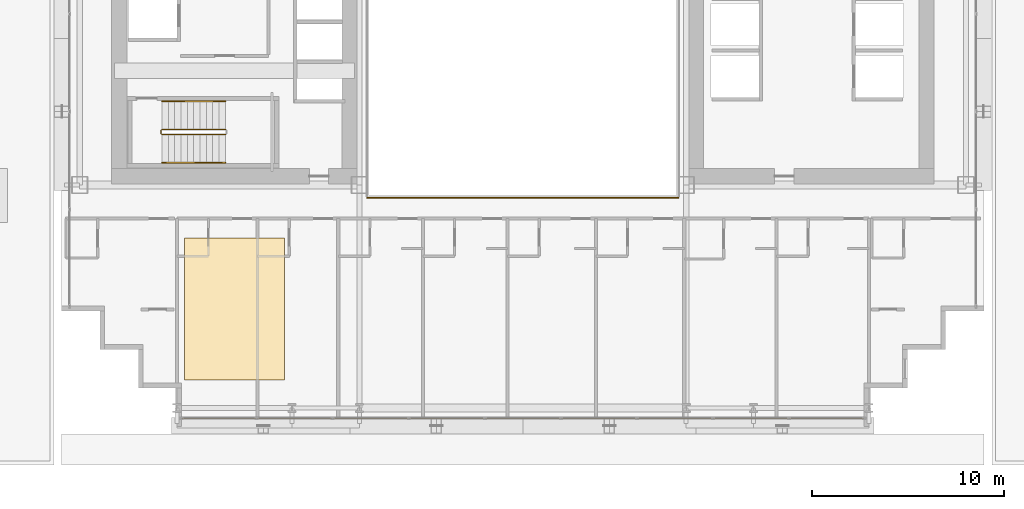
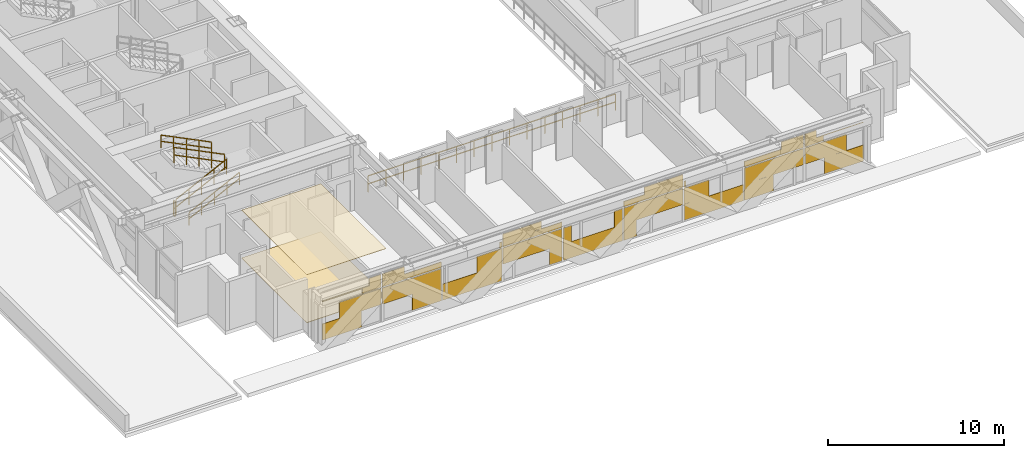
# One storey, part 31 of 35: 6 railings, 3 coverings.
"""IFC4 building model written with IfcOpenShell, lengths in metres."""

from ifc_helpers import new_model, si_unit, direction, frame, origin, origin_2d, place, context, subcontext, project, spatial, polyline, rectangle, outline, extrude, material, layer, layer_set, type_object, element, save


model = new_model("IFC4")

# Units and contexts
model_context = context("Model", 3, precision=1e-05, world=origin(), true_north=direction((0.0, 1.0)))
body_context = subcontext(model_context, "Body", "Model", "MODEL_VIEW")
ifc_project = project(units=[si_unit("LENGTHUNIT", "METRE"), si_unit("AREAUNIT", "SQUARE_METRE"), si_unit("VOLUMEUNIT", "CUBIC_METRE"), si_unit("PLANEANGLEUNIT", "RADIAN"), si_unit("MASSUNIT", "GRAM", prefix="KILO")], contexts=[model_context])

# Site, building, storey
site_placement = place(None, origin())
site = spatial("IfcSite", under=ifc_project, at=site_placement, CompositionType="ELEMENT")
building_placement = place(site_placement, origin())
building = spatial("IfcBuilding", under=site, at=building_placement, Name="Ocotamira Hotel", CompositionType="ELEMENT")
storey_placement = place(building_placement, frame((0.0, 0.0, 34.800048828125)))
storey = spatial("IfcBuildingStorey", under=building, at=storey_placement, Name="L07", CompositionType="ELEMENT", Elevation=34.800048828125)

# Coverings
ifc_material_1 = material(Name="Perforated acoustic gypsum ceiling board", Category="gypsum")
ifc_layer_1 = layer(ifc_material_1, 0.02490234375)
ifc_layer_set_1 = layer_set([ifc_layer_1], Name="Perforated acoustic gypsum ceiling board")
covering_type_1 = type_object("IfcCoveringType", Name="COV-CEIL-25", PredefinedType="CEILING", material=ifc_layer_set_1)
covering_1_placement = place(storey_placement, frame((0.0, 0.0, 3.324951171875)))
element("IfcCovering", 1, at=covering_1_placement, inside=storey, type_object=covering_type_1, Name="L07 Acoustic Ceiling", PredefinedType="CEILING", context=body_context, shape_type="SweptSolid", body=[
    extrude(outline(polyline([(14.39990234375, 4.39990234375), (19.60009765625, 4.39990234375), (19.60009765625, 11.800048828125), (14.39990234375, 11.800048828125), (14.39990234375, 4.39990234375)])), origin(), (0.0, 0.0, 1.0), 0.02490234375),
])
ifc_material_2 = material(Name="Honed desert travertine stone flooring", Category="masonry")
ifc_layer_2 = layer(ifc_material_2, 0.030029296875)
ifc_layer_set_2 = layer_set([ifc_layer_2], Name="Honed desert travertine stone flooring")
covering_type_2 = type_object("IfcCoveringType", Name="COV-FLOR-30", PredefinedType="FLOORING", material=ifc_layer_set_2)
covering_2_placement = place(storey_placement, origin())
element("IfcCovering", 2, at=covering_2_placement, inside=storey, type_object=covering_type_2, Name="L07 Honed Stone Floor Finish", PredefinedType="FLOORING", context=body_context, shape_type="SweptSolid", body=[
    extrude(outline(polyline([(14.39990234375, 4.39990234375), (19.60009765625, 4.39990234375), (19.60009765625, 11.800048828125), (14.39990234375, 11.800048828125), (14.39990234375, 4.39990234375)])), origin(), (0.0, 0.0, 1.0), 0.030029296875),
])
ifc_material_3 = material(Name="Insulated pale-metal aluminium spandrel panel", Category="aluminium")
ifc_layer_3 = layer(ifc_material_3, 0.044921875)
ifc_layer_set_3 = layer_set([ifc_layer_3], Name="Insulated pale-metal aluminium spandrel panel")
covering_type_3 = type_object("IfcCoveringType", Name="COV-INFILL-45", PredefinedType="CLADDING", material=ifc_layer_set_3)
covering_3_placement = place(storey_placement, origin())
element("IfcCovering", 3, at=covering_3_placement, inside=storey, type_object=covering_type_3, Name="L07 Curtain Wall Infill CW-2 CW-L07-S1", PredefinedType="CLADDING", context=body_context, shape_type="SweptSolid", body=[
    extrude(rectangle(XDim=2.556396484375, YDim=0.044921875, at=origin_2d()), frame((15.558837890625, 2.419921875, 0.075439453125), z_axis=(0.0, 0.0, 1.0), x_axis=(1.0, 0.0, 0.0)), (0.0, 0.0, 1.0), 1.11767578125),
    extrude(rectangle(XDim=2.7177734375, YDim=0.044921875, at=origin_2d()), frame((16.756103515625, 2.419921875, 1.194091796875), z_axis=(0.0, 0.0, 1.0), x_axis=(1.0, 0.0, 0.0)), (0.0, 0.0, 1.0), 1.11767578125),
    extrude(rectangle(XDim=3.834716796875, YDim=0.044921875, at=origin_2d()), frame((16.19775390625, 2.419921875, 2.7333984375), z_axis=(0.0, 0.0, 1.0), x_axis=(1.0, 0.0, 0.0)), (0.0, 0.0, 1.0), 0.0302734375),
    extrude(rectangle(XDim=1.2255859375, YDim=0.044921875, at=origin_2d()), frame((17.502197265625, 2.419921875, 2.3876953125), z_axis=(0.0, 0.0, 1.0), x_axis=(1.0, 0.0, 0.0)), (0.0, 0.0, 1.0), 0.344482421875),
    extrude(rectangle(XDim=0.754638671875, YDim=0.044921875, at=origin_2d()), frame((17.73779296875, 2.419921875, 2.7646484375), z_axis=(0.0, 0.0, 1.0), x_axis=(1.0, 0.0, 0.0)), (0.0, 0.0, 1.0), 0.509765625),
    extrude(rectangle(XDim=3.87451171875, YDim=0.044921875, at=origin_2d()), frame((20.13330078125, 2.419921875, 1.194091796875), z_axis=(0.0, 0.0, 1.0), x_axis=(1.0, 0.0, 0.0)), (0.0, 0.0, 1.0), 1.11767578125),
    extrude(rectangle(XDim=1.90771484375, YDim=0.044921875, at=origin_2d()), frame((21.11669921875, 2.419921875, 0.075439453125), z_axis=(0.0, 0.0, 1.0), x_axis=(1.0, 0.0, 0.0)), (0.0, 0.0, 1.0), 1.11767578125),
    extrude(rectangle(XDim=3.87451171875, YDim=0.044921875, at=origin_2d()), frame((20.13330078125, 2.419921875, 2.38818359375), z_axis=(0.0, 0.0, 1.0), x_axis=(1.0, 0.0, 0.0)), (0.0, 0.0, 1.0), 0.375732421875),
    extrude(rectangle(XDim=1.443603515625, YDim=0.044921875, at=origin_2d()), frame((18.917724609375, 2.419921875, 2.7646484375), z_axis=(0.0, 0.0, 1.0), x_axis=(1.0, 0.0, 0.0)), (0.0, 0.0, 1.0), 0.509765625),
    extrude(rectangle(XDim=3.87451171875, YDim=0.044921875, at=origin_2d()), frame((24.0888671875, 2.419921875, 0.075439453125), z_axis=(0.0, 0.0, 1.0), x_axis=(1.0, 0.0, 0.0)), (0.0, 0.0, 1.0), 1.11767578125),
    extrude(rectangle(XDim=1.62890625, YDim=0.044921875, at=origin_2d()), frame((25.2119140625, 2.419921875, 1.194091796875), z_axis=(0.0, 0.0, 1.0), x_axis=(1.0, 0.0, 0.0)), (0.0, 0.0, 1.0), 1.11767578125),
    extrude(rectangle(XDim=0.13671875, YDim=0.044921875, at=origin_2d()), frame((25.957763671875, 2.419921875, 2.38818359375), z_axis=(0.0, 0.0, 1.0), x_axis=(1.0, 0.0, 0.0)), (0.0, 0.0, 1.0), 0.375732421875),
    extrude(rectangle(XDim=3.87451171875, YDim=0.044921875, at=origin_2d()), frame((28.04443359375, 2.419921875, 1.194091796875), z_axis=(0.0, 0.0, 1.0), x_axis=(1.0, 0.0, 0.0)), (0.0, 0.0, 1.0), 1.11767578125),
    extrude(rectangle(XDim=0.81884765625, YDim=0.044921875, at=origin_2d()), frame((29.572265625, 2.419921875, 0.075439453125), z_axis=(0.0, 0.0, 1.0), x_axis=(1.0, 0.0, 0.0)), (0.0, 0.0, 1.0), 1.11767578125),
    extrude(rectangle(XDim=3.87451171875, YDim=0.044921875, at=origin_2d()), frame((28.04443359375, 2.419921875, 2.38818359375), z_axis=(0.0, 0.0, 1.0), x_axis=(1.0, 0.0, 0.0)), (0.0, 0.0, 1.0), 0.375732421875),
    extrude(rectangle(XDim=2.532470703125, YDim=0.044921875, at=origin_2d()), frame((27.373291015625, 2.419921875, 2.7646484375), z_axis=(0.0, 0.0, 1.0), x_axis=(1.0, 0.0, 0.0)), (0.0, 0.0, 1.0), 0.509765625),
    extrude(rectangle(XDim=3.87451171875, YDim=0.044921875, at=origin_2d()), frame((32.0, 2.419921875, 0.075439453125), z_axis=(0.0, 0.0, 1.0), x_axis=(1.0, 0.0, 0.0)), (0.0, 0.0, 1.0), 1.11767578125),
    extrude(rectangle(XDim=0.539794921875, YDim=0.044921875, at=origin_2d()), frame((30.332763671875, 2.419921875, 1.194091796875), z_axis=(0.0, 0.0, 1.0), x_axis=(1.0, 0.0, 0.0)), (0.0, 0.0, 1.0), 1.11767578125),
    extrude(rectangle(XDim=0.539794921875, YDim=0.044921875, at=origin_2d()), frame((33.667236328125, 2.419921875, 1.194091796875), z_axis=(0.0, 0.0, 1.0), x_axis=(1.0, 0.0, 0.0)), (0.0, 0.0, 1.0), 1.11767578125),
    extrude(rectangle(XDim=0.81884765625, YDim=0.044921875, at=origin_2d()), frame((34.427734375, 2.419921875, 0.075439453125), z_axis=(0.0, 0.0, 1.0), x_axis=(1.0, 0.0, 0.0)), (0.0, 0.0, 1.0), 1.11767578125),
    extrude(rectangle(XDim=3.87451171875, YDim=0.044921875, at=origin_2d()), frame((35.95556640625, 2.419921875, 1.194091796875), z_axis=(0.0, 0.0, 1.0), x_axis=(1.0, 0.0, 0.0)), (0.0, 0.0, 1.0), 1.11767578125),
    extrude(rectangle(XDim=3.87451171875, YDim=0.044921875, at=origin_2d()), frame((35.95556640625, 2.419921875, 2.38818359375), z_axis=(0.0, 0.0, 1.0), x_axis=(1.0, 0.0, 0.0)), (0.0, 0.0, 1.0), 0.375732421875),
    extrude(rectangle(XDim=2.532470703125, YDim=0.044921875, at=origin_2d()), frame((36.626708984375, 2.419921875, 2.7646484375), z_axis=(0.0, 0.0, 1.0), x_axis=(1.0, 0.0, 0.0)), (0.0, 0.0, 1.0), 0.509765625),
    extrude(rectangle(XDim=3.87451171875, YDim=0.044921875, at=origin_2d()), frame((39.9111328125, 2.419921875, 0.075439453125), z_axis=(0.0, 0.0, 1.0), x_axis=(1.0, 0.0, 0.0)), (0.0, 0.0, 1.0), 1.11767578125),
    extrude(rectangle(XDim=1.62890625, YDim=0.044921875, at=origin_2d()), frame((38.7880859375, 2.419921875, 1.194091796875), z_axis=(0.0, 0.0, 1.0), x_axis=(1.0, 0.0, 0.0)), (0.0, 0.0, 1.0), 1.11767578125),
    extrude(rectangle(XDim=0.13671875, YDim=0.044921875, at=origin_2d()), frame((38.042236328125, 2.419921875, 2.38818359375), z_axis=(0.0, 0.0, 1.0), x_axis=(1.0, 0.0, 0.0)), (0.0, 0.0, 1.0), 0.375732421875),
    extrude(rectangle(XDim=1.90771484375, YDim=0.044921875, at=origin_2d()), frame((42.88330078125, 2.419921875, 0.075439453125), z_axis=(0.0, 0.0, 1.0), x_axis=(1.0, 0.0, 0.0)), (0.0, 0.0, 1.0), 1.11767578125),
    extrude(rectangle(XDim=3.87451171875, YDim=0.044921875, at=origin_2d()), frame((43.86669921875, 2.419921875, 1.194091796875), z_axis=(0.0, 0.0, 1.0), x_axis=(1.0, 0.0, 0.0)), (0.0, 0.0, 1.0), 1.11767578125),
    extrude(rectangle(XDim=3.87451171875, YDim=0.044921875, at=origin_2d()), frame((43.86669921875, 2.419921875, 2.38818359375), z_axis=(0.0, 0.0, 1.0), x_axis=(1.0, 0.0, 0.0)), (0.0, 0.0, 1.0), 0.375732421875),
    extrude(rectangle(XDim=1.443603515625, YDim=0.044921875, at=origin_2d()), frame((45.082275390625, 2.419921875, 2.7646484375), z_axis=(0.0, 0.0, 1.0), x_axis=(1.0, 0.0, 0.0)), (0.0, 0.0, 1.0), 0.509765625),
    extrude(rectangle(XDim=2.7177734375, YDim=0.044921875, at=origin_2d()), frame((47.243896484375, 2.419921875, 1.194091796875), z_axis=(0.0, 0.0, 1.0), x_axis=(1.0, 0.0, 0.0)), (0.0, 0.0, 1.0), 1.11767578125),
    extrude(rectangle(XDim=2.556396484375, YDim=0.044921875, at=origin_2d()), frame((48.441162109375, 2.419921875, 0.075439453125), z_axis=(0.0, 0.0, 1.0), x_axis=(1.0, 0.0, 0.0)), (0.0, 0.0, 1.0), 1.11767578125),
    extrude(rectangle(XDim=1.2255859375, YDim=0.044921875, at=origin_2d()), frame((46.497802734375, 2.419921875, 2.3876953125), z_axis=(0.0, 0.0, 1.0), x_axis=(1.0, 0.0, 0.0)), (0.0, 0.0, 1.0), 0.344482421875),
    extrude(rectangle(XDim=3.834716796875, YDim=0.044921875, at=origin_2d()), frame((47.80224609375, 2.419921875, 2.7333984375), z_axis=(0.0, 0.0, 1.0), x_axis=(1.0, 0.0, 0.0)), (0.0, 0.0, 1.0), 0.0302734375),
    extrude(rectangle(XDim=0.754638671875, YDim=0.044921875, at=origin_2d()), frame((46.26220703125, 2.419921875, 2.7646484375), z_axis=(0.0, 0.0, 1.0), x_axis=(1.0, 0.0, 0.0)), (0.0, 0.0, 1.0), 0.509765625),
])

# Railings
ifc_material_4 = material(Name="Painted steel stair guardrail", Category="steel")
railing_type_1 = type_object("IfcRailingType", Name="RL-EDGE-1150", PredefinedType="GUARDRAIL", material=ifc_material_4)
railing_1_placement = place(storey_placement, frame((23.89990234375, 13.8798828125, 0.0)))
element("IfcRailing", 4, at=railing_1_placement, inside=storey, type_object=railing_type_1, Name="L07 Central Atrium Edge Guardrail S", PredefinedType="GUARDRAIL", context=body_context, shape_type="SweptSolid", body=[
    extrude(rectangle(XDim=0.048095703125, YDim=0.048095703125, at=origin_2d()), frame((0.0, 0.0, 1.1259765625), z_axis=(1.0, 0.0, 0.0), x_axis=(0.0, 1.0, 0.0)), (0.0, 0.0, 1.0), 16.2001953125),
    extrude(rectangle(XDim=0.048095703125, YDim=0.048095703125, at=origin_2d()), frame((0.0, 0.0, 0.574951171875), z_axis=(1.0, 0.0, 0.0), x_axis=(0.0, 1.0, 0.0)), (0.0, 0.0, 1.0), 16.2001953125),
    extrude(rectangle(XDim=0.0419921875, YDim=0.0419921875, at=origin_2d()), origin(), (0.0, 0.0, 1.0), 1.101806640625),
    extrude(rectangle(XDim=0.0419921875, YDim=0.0419921875, at=origin_2d()), frame((1.1572265625, 0.0, 0.0)), (0.0, 0.0, 1.0), 1.101806640625),
    extrude(rectangle(XDim=0.0419921875, YDim=0.0419921875, at=origin_2d()), frame((2.314208984375, 0.0, 0.0)), (0.0, 0.0, 1.0), 1.101806640625),
    extrude(rectangle(XDim=0.0419921875, YDim=0.0419921875, at=origin_2d()), frame((3.471435546875, 0.0, 0.0)), (0.0, 0.0, 1.0), 1.101806640625),
    extrude(rectangle(XDim=0.0419921875, YDim=0.0419921875, at=origin_2d()), frame((4.628662109375, 0.0, 0.0)), (0.0, 0.0, 1.0), 1.101806640625),
    extrude(rectangle(XDim=0.0419921875, YDim=0.0419921875, at=origin_2d()), frame((5.785888671875, 0.0, 0.0)), (0.0, 0.0, 1.0), 1.101806640625),
    extrude(rectangle(XDim=0.0419921875, YDim=0.0419921875, at=origin_2d()), frame((6.94287109375, 0.0, 0.0)), (0.0, 0.0, 1.0), 1.101806640625),
    extrude(rectangle(XDim=0.0419921875, YDim=0.0419921875, at=origin_2d()), frame((8.10009765625, 0.0, 0.0)), (0.0, 0.0, 1.0), 1.101806640625),
    extrude(rectangle(XDim=0.0419921875, YDim=0.0419921875, at=origin_2d()), frame((9.25732421875, 0.0, 0.0)), (0.0, 0.0, 1.0), 1.101806640625),
    extrude(rectangle(XDim=0.0419921875, YDim=0.0419921875, at=origin_2d()), frame((10.414306640625, 0.0, 0.0)), (0.0, 0.0, 1.0), 1.101806640625),
    extrude(rectangle(XDim=0.0419921875, YDim=0.0419921875, at=origin_2d()), frame((11.571533203125, 0.0, 0.0)), (0.0, 0.0, 1.0), 1.101806640625),
    extrude(rectangle(XDim=0.0419921875, YDim=0.0419921875, at=origin_2d()), frame((12.728759765625, 0.0, 0.0)), (0.0, 0.0, 1.0), 1.101806640625),
    extrude(rectangle(XDim=0.0419921875, YDim=0.0419921875, at=origin_2d()), frame((13.885986328125, 0.0, 0.0)), (0.0, 0.0, 1.0), 1.101806640625),
    extrude(rectangle(XDim=0.0419921875, YDim=0.0419921875, at=origin_2d()), frame((15.04296875, 0.0, 0.0)), (0.0, 0.0, 1.0), 1.101806640625),
    extrude(rectangle(XDim=0.0419921875, YDim=0.0419921875, at=origin_2d()), frame((16.2001953125, 0.0, 0.0)), (0.0, 0.0, 1.0), 1.101806640625),
])
ifc_material_5 = material(Name="Brushed stainless steel handrail", Category="steel")
railing_type_2 = type_object("IfcRailingType", Name="RL-HAND-900", PredefinedType="HANDRAIL", material=ifc_material_5)
railing_2_placement = place(storey_placement, frame((13.22998046875, 15.719970703125, 0.3271484375)))
element("IfcRailing", 5, at=railing_2_placement, inside=storey, type_object=railing_type_2, Name="L07 ST-1 stair handrail 1", PredefinedType="HANDRAIL", context=body_context, shape_type="SweptSolid", body=[
    extrude(rectangle(XDim=0.048095703125, YDim=0.048095703125, at=origin_2d()), frame((0.0, 0.0, 0.8759765625), z_axis=(0.895893744519, 0.0, 0.4442683857), x_axis=(0.0, 1.0, 0.0)), (0.0, 0.0, 1.0), 3.68359375),
    extrude(rectangle(XDim=0.048095703125, YDim=0.048095703125, at=origin_2d()), frame((0.0, 0.0, 0.449951171875), z_axis=(0.895893744519, 0.0, 0.4442683857), x_axis=(0.0, 1.0, 0.0)), (0.0, 0.0, 1.0), 3.68359375),
    extrude(rectangle(XDim=0.0419921875, YDim=0.0419921875, at=origin_2d()), origin(), (0.0, 0.0, 1.0), 0.851806640625),
    extrude(rectangle(XDim=0.0419921875, YDim=0.0419921875, at=origin_2d()), frame((0.824951171875, 0.0, 0.4091796875)), (0.0, 0.0, 1.0), 0.851806640625),
    extrude(rectangle(XDim=0.0419921875, YDim=0.0419921875, at=origin_2d()), frame((1.64990234375, 0.0, 0.818359375)), (0.0, 0.0, 1.0), 0.851806640625),
    extrude(rectangle(XDim=0.0419921875, YDim=0.0419921875, at=origin_2d()), frame((2.47509765625, 0.0, 1.227294921875)), (0.0, 0.0, 1.0), 0.851806640625),
    extrude(rectangle(XDim=0.0419921875, YDim=0.0419921875, at=origin_2d()), frame((3.300048828125, 0.0, 1.636474609375)), (0.0, 0.0, 1.0), 0.851806640625),
])
railing_3_placement = place(storey_placement, frame((16.530029296875, 18.89990234375, 2.127197265625)))
element("IfcRailing", 6, at=railing_3_placement, inside=storey, type_object=railing_type_2, Name="L07 ST-1 stair handrail 2", PredefinedType="HANDRAIL", context=body_context, shape_type="SweptSolid", body=[
    extrude(rectangle(XDim=0.048095703125, YDim=0.048095703125, at=origin_2d()), frame((0.0, 0.0, 0.8759765625), z_axis=(-0.895893744519, 0.0, 0.4442683857), x_axis=(0.0, -1.0, 0.0)), (0.0, 0.0, 1.0), 3.68359375),
    extrude(rectangle(XDim=0.048095703125, YDim=0.048095703125, at=origin_2d()), frame((0.0, 0.0, 0.449951171875), z_axis=(-0.895893744519, 0.0, 0.4442683857), x_axis=(0.0, -1.0, 0.0)), (0.0, 0.0, 1.0), 3.68359375),
    extrude(rectangle(XDim=0.0419921875, YDim=0.0419921875, at=origin_2d()), origin(), (0.0, 0.0, 1.0), 0.851806640625),
    extrude(rectangle(XDim=0.0419921875, YDim=0.0419921875, at=origin_2d()), frame((-0.824951171875, 0.0, 0.4091796875)), (0.0, 0.0, 1.0), 0.851806640625),
    extrude(rectangle(XDim=0.0419921875, YDim=0.0419921875, at=origin_2d()), frame((-1.64990234375, 0.0, 0.818359375)), (0.0, 0.0, 1.0), 0.851806640625),
    extrude(rectangle(XDim=0.0419921875, YDim=0.0419921875, at=origin_2d()), frame((-2.47509765625, 0.0, 1.227294921875)), (0.0, 0.0, 1.0), 0.851806640625),
    extrude(rectangle(XDim=0.0419921875, YDim=0.0419921875, at=origin_2d()), frame((-3.300048828125, 0.0, 1.636474609375)), (0.0, 0.0, 1.0), 0.851806640625),
])
railing_type_3 = type_object("IfcRailingType", Name="RL-STAIR-1100", PredefinedType="GUARDRAIL", material=ifc_material_4)
railing_4_placement = place(storey_placement, frame((13.22998046875, 17.179931640625, 0.16357421875)))
element("IfcRailing", 7, at=railing_4_placement, inside=storey, type_object=railing_type_3, Name="L07 ST-1 stair guard 1", PredefinedType="GUARDRAIL", context=body_context, shape_type="SweptSolid", body=[
    extrude(rectangle(XDim=0.048095703125, YDim=0.048095703125, at=origin_2d()), frame((0.0, 0.0, 1.076171875), z_axis=(0.895893744519, 0.0, 0.4442683857), x_axis=(0.0, 1.0, 0.0)), (0.0, 0.0, 1.0), 3.68359375),
    extrude(rectangle(XDim=0.048095703125, YDim=0.048095703125, at=origin_2d()), frame((0.0, 0.0, 0.550048828125), z_axis=(0.895893744519, 0.0, 0.4442683857), x_axis=(0.0, 1.0, 0.0)), (0.0, 0.0, 1.0), 3.68359375),
    extrude(rectangle(XDim=0.0419921875, YDim=0.0419921875, at=origin_2d()), origin(), (0.0, 0.0, 1.0), 1.052001953125),
    extrude(rectangle(XDim=0.0419921875, YDim=0.0419921875, at=origin_2d()), frame((0.824951171875, 0.0, 0.4091796875)), (0.0, 0.0, 1.0), 1.052001953125),
    extrude(rectangle(XDim=0.0419921875, YDim=0.0419921875, at=origin_2d()), frame((1.64990234375, 0.0, 0.818359375)), (0.0, 0.0, 1.0), 1.052001953125),
    extrude(rectangle(XDim=0.0419921875, YDim=0.0419921875, at=origin_2d()), frame((2.47509765625, 0.0, 1.227294921875)), (0.0, 0.0, 1.0), 1.052001953125),
    extrude(rectangle(XDim=0.0419921875, YDim=0.0419921875, at=origin_2d()), frame((3.300048828125, 0.0, 1.636474609375)), (0.0, 0.0, 1.0), 1.052001953125),
])
railing_5_placement = place(storey_placement, frame((16.530029296875, 17.43994140625, 1.963623046875)))
element("IfcRailing", 8, at=railing_5_placement, inside=storey, type_object=railing_type_3, Name="L07 ST-1 stair guard 3", PredefinedType="GUARDRAIL", context=body_context, shape_type="SweptSolid", body=[
    extrude(rectangle(XDim=0.048095703125, YDim=0.048095703125, at=origin_2d()), frame((0.0, 0.0, 1.076171875), z_axis=(-0.895920123917, 0.0, 0.444215186098), x_axis=(0.0, -1.0, 0.0)), (0.0, 0.0, 1.0), 3.683349609375),
    extrude(rectangle(XDim=0.048095703125, YDim=0.048095703125, at=origin_2d()), frame((0.0, 0.0, 0.550048828125), z_axis=(-0.895920123917, 0.0, 0.444215186098), x_axis=(0.0, -1.0, 0.0)), (0.0, 0.0, 1.0), 3.683349609375),
    extrude(rectangle(XDim=0.0419921875, YDim=0.0419921875, at=origin_2d()), origin(), (0.0, 0.0, 1.0), 1.052001953125),
    extrude(rectangle(XDim=0.0419921875, YDim=0.0419921875, at=origin_2d()), frame((-0.824951171875, 0.0, 0.4091796875)), (0.0, 0.0, 1.0), 1.052001953125),
    extrude(rectangle(XDim=0.0419921875, YDim=0.0419921875, at=origin_2d()), frame((-1.64990234375, 0.0, 0.818115234375)), (0.0, 0.0, 1.0), 1.052001953125),
    extrude(rectangle(XDim=0.0419921875, YDim=0.0419921875, at=origin_2d()), frame((-2.47509765625, 0.0, 1.22705078125)), (0.0, 0.0, 1.0), 1.052001953125),
    extrude(rectangle(XDim=0.0419921875, YDim=0.0419921875, at=origin_2d()), frame((-3.300048828125, 0.0, 1.63623046875)), (0.0, 0.0, 1.0), 1.052001953125),
])
railing_6_placement = place(storey_placement, frame((13.179931640625, 17.22998046875, 0.0)))
element("IfcRailing", 9, at=railing_6_placement, inside=storey, type_object=railing_type_3, Name="L07 ST-1 stair guard 4", PredefinedType="GUARDRAIL", context=body_context, shape_type="SweptSolid", body=[
    extrude(rectangle(XDim=0.048095703125, YDim=0.048095703125, at=origin_2d()), frame((0.0, 0.0, 1.076171875), z_axis=(0.0, 1.0, 0.0), x_axis=(-1.0, 0.0, 0.0)), (0.0, 0.0, 1.0), 0.159912109375),
    extrude(rectangle(XDim=0.048095703125, YDim=0.048095703125, at=origin_2d()), frame((0.0, 0.0, 0.550048828125), z_axis=(0.0, 1.0, 0.0), x_axis=(-1.0, 0.0, 0.0)), (0.0, 0.0, 1.0), 0.159912109375),
    extrude(rectangle(XDim=0.0419921875, YDim=0.0419921875, at=origin_2d()), origin(), (0.0, 0.0, 1.0), 1.052001953125),
    extrude(rectangle(XDim=0.0419921875, YDim=0.0419921875, at=origin_2d()), frame((0.0, 0.159912109375, 0.0)), (0.0, 0.0, 1.0), 1.052001953125),
])

save(model, "model.ifc")
